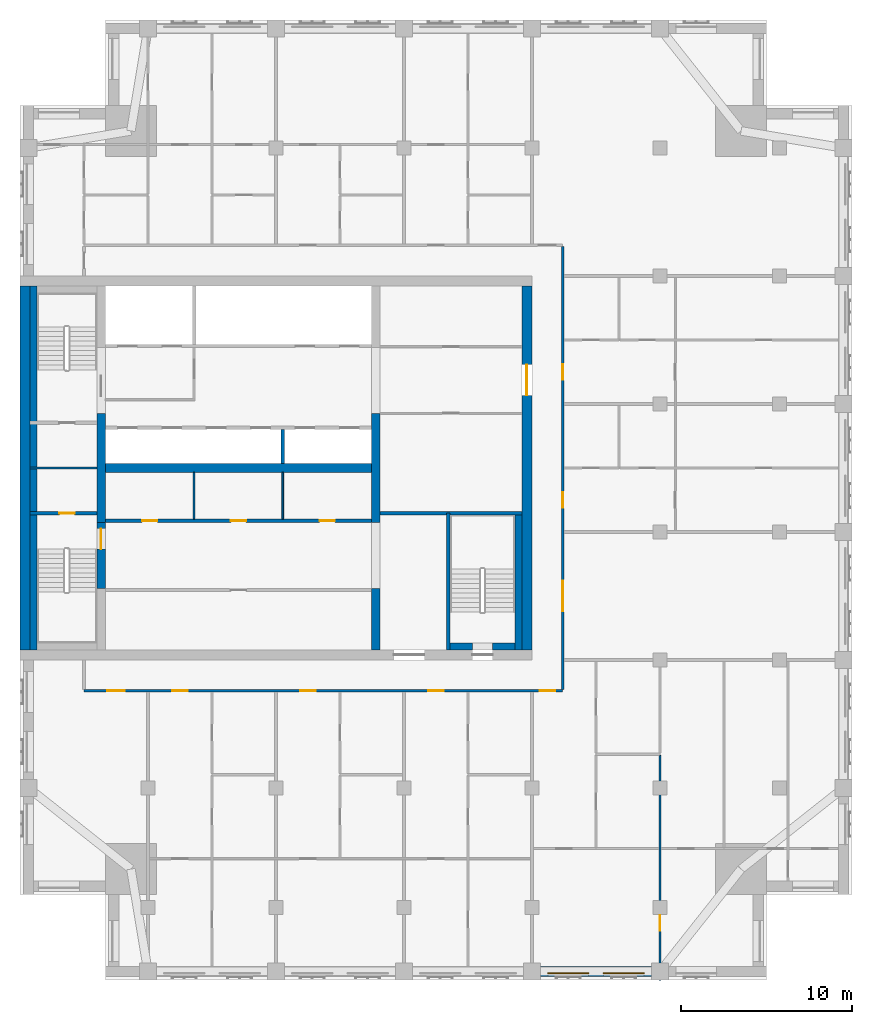
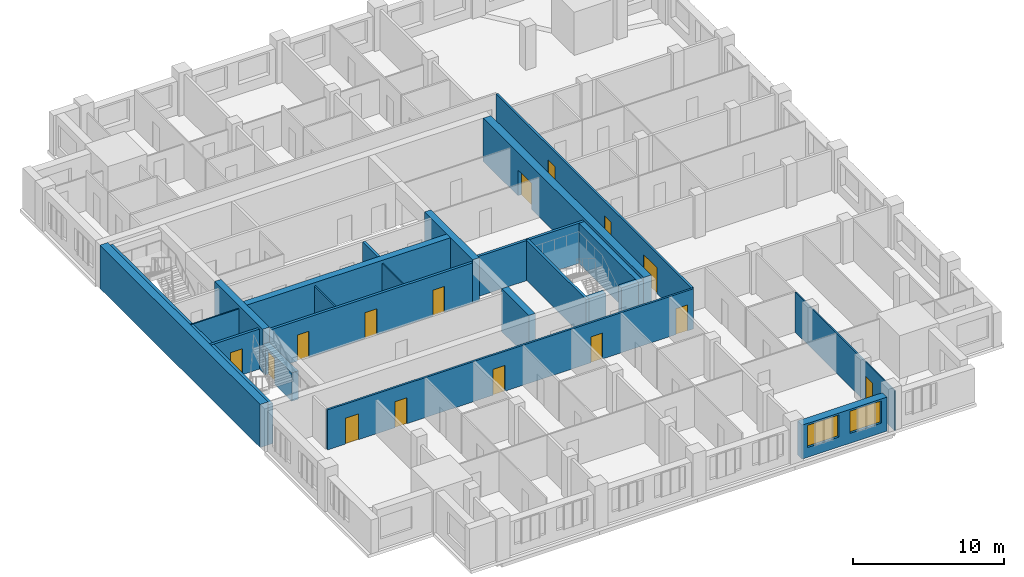
# One storey, part 4 of 11: 23 walls, 15 doors, 2 windows, 17 openings.
"""IFC4 building model written with IfcOpenShell, lengths in metres."""

from ifc_helpers import new_model, si_unit, direction, frame, frame_2d, origin, place, context, subcontext, project, spatial, rectangle, extrude, material, layer, layer_set, type_object, element, fill, save


model = new_model("IFC4")

# Units and contexts
model_context = context("Model", 3, precision=1e-05, world=origin(), true_north=direction((0.0, 1.0)))
body_context = subcontext(model_context, "Body", "Model", "MODEL_VIEW")
ifc_project = project(units=[si_unit("LENGTHUNIT", "METRE"), si_unit("AREAUNIT", "SQUARE_METRE"), si_unit("VOLUMEUNIT", "CUBIC_METRE"), si_unit("PLANEANGLEUNIT", "RADIAN"), si_unit("MASSUNIT", "GRAM", prefix="KILO")], contexts=[model_context])

# Site, building, storey
site_placement = place(None, origin())
site = spatial("IfcSite", under=ifc_project, at=site_placement, CompositionType="ELEMENT")
building_placement = place(site_placement, origin())
building = spatial("IfcBuilding", under=site, at=building_placement, Name="Tamorin Gate", CompositionType="ELEMENT")
storey_placement = place(building_placement, frame((0.0, 0.0, 240.699951171875)))
storey = spatial("IfcBuildingStorey", under=building, at=storey_placement, Name="L60", CompositionType="ELEMENT", Elevation=240.699951171875)

# Wall, openings, windows
ifc_material_1 = material(Name="Precast concrete C40/50", Category="concrete")
ifc_layer_1 = layer(ifc_material_1, 0.60009765625)
ifc_layer_set_1 = layer_set([ifc_layer_1], Name="Precast concrete C40/50")
wall_type_1 = type_object("IfcWallType", Name="Board-marked concrete facade panel 600", PredefinedType="SOLIDWALL", material=ifc_layer_set_1)
wall_1_placement = place(storey_placement, frame((60.5, 41.75, 0.0), z_axis=(0.0, 0.0, 1.0), x_axis=(1.0, 0.0, 0.0)))
wall_1 = element("IfcWall", 1, at=wall_1_placement, inside=storey, type_object=wall_type_1, Name="Facade panel", PredefinedType="SOLIDWALL", context=body_context, shape_type="SweptSolid", body=[
    extrude(rectangle(XDim=6.5, YDim=0.60009765625, at=frame_2d((3.25, 0.0))), origin(), (0.0, 0.0, 1.0), 2.75),
])
opening_1_placement = place(wall_1_placement, frame((0.425048828125, 0.0, 0.800048828125)))
opening_1 = element("IfcOpeningElement", 2, at=opening_1_placement, cuts=wall_1, Name="Opening WN1", PredefinedType="OPENING", context=body_context, shape_type="SweptSolid", body=[
    extrude(rectangle(XDim=2.39990234375, YDim=1.800048828125, at=frame_2d((1.199951171875, 0.89990234375))), frame((0.0, 0.31005859375, 0.0), z_axis=(0.0, -1.0, 0.0), x_axis=(1.0, 0.0, 0.0)), (0.0, 0.0, 1.0), 0.6201171875),
])
opening_2_placement = place(wall_1_placement, frame((3.675048828125, 0.0, 0.800048828125)))
opening_2 = element("IfcOpeningElement", 3, at=opening_2_placement, cuts=wall_1, Name="Opening WN1", PredefinedType="OPENING", context=body_context, shape_type="SweptSolid", body=[
    extrude(rectangle(XDim=2.39990234375, YDim=1.800048828125, at=frame_2d((1.199951171875, 0.89990234375))), frame((0.0, 0.31005859375, 0.0), z_axis=(0.0, -1.0, 0.0), x_axis=(1.0, 0.0, 0.0)), (0.0, 0.0, 1.0), 0.6201171875),
])
ifc_material_2 = material(Name="Clear glass in aluminium frame", Category="aluminium")
window_type = type_object("IfcWindowType", Name="Deep-set window 2400x1800", PartitioningType="SINGLE_PANEL", PredefinedType="WINDOW", material=ifc_material_2)
window_1_placement = place(opening_1_placement, origin())
window_1 = element("IfcWindow", 4, at=window_1_placement, inside=storey, type_object=window_type, Name="Deep-set window", OverallHeight=1.800048828125, OverallWidth=2.39990234375, PartitioningType="SINGLE_PANEL", PredefinedType="WINDOW", context=body_context, shape_type="SweptSolid", body=[
    extrude(rectangle(XDim=2.39990234375, YDim=1.800048828125, at=frame_2d((1.199951171875, 0.89990234375))), frame((0.0, -0.070068359375, 0.0), z_axis=(0.0, -1.0, 0.0), x_axis=(1.0, 0.0, 0.0)), (0.0, 0.0, 1.0), 0.06005859375),
])
fill(opening_1, window_1)
window_2_placement = place(opening_2_placement, origin())
window_2 = element("IfcWindow", 5, at=window_2_placement, inside=storey, type_object=window_type, Name="Deep-set window", OverallHeight=1.800048828125, OverallWidth=2.39990234375, PartitioningType="SINGLE_PANEL", PredefinedType="WINDOW", context=body_context, shape_type="SweptSolid", body=[
    extrude(rectangle(XDim=2.39990234375, YDim=1.800048828125, at=frame_2d((1.199951171875, 0.89990234375))), frame((0.0, -0.070068359375, 0.0), z_axis=(0.0, -1.0, 0.0), x_axis=(1.0, 0.0, 0.0)), (0.0, 0.0, 1.0), 0.06005859375),
])
fill(opening_2, window_2)

# Wall, openings, doors
ifc_material_3 = material(Name="Gypsum board partition")
ifc_layer_2 = layer(ifc_material_3, 0.14990234375)
ifc_layer_set_2 = layer_set([ifc_layer_2], Name="Corridor wall 150")
wall_type_2 = type_object("IfcWallType", Name="Corridor wall 150", PredefinedType="PARTITIONING", material=ifc_layer_set_2)
wall_2_placement = place(storey_placement, frame((33.75, 58.199951171875, 0.0), z_axis=(0.0, 0.0, 1.0), x_axis=(1.0, 0.0, 0.0)))
wall_2 = element("IfcWall", 6, at=wall_2_placement, inside=storey, type_object=wall_type_2, Name="Corridor wall 150", PredefinedType="PARTITIONING", context=body_context, shape_type="SweptSolid", body=[
    extrude(rectangle(XDim=28.050048828125, YDim=0.14990234375, at=frame_2d((14.02490234375, 0.0))), origin(), (0.0, 0.0, 1.0), 3.25),
])
opening_3_placement = place(wall_2_placement, frame((1.375, 0.0, 0.0)))
opening_3 = element("IfcOpeningElement", 7, at=opening_3_placement, cuts=wall_2, Name="Opening DR6001", PredefinedType="OPENING", context=body_context, shape_type="SweptSolid", body=[
    extrude(rectangle(XDim=1.0, YDim=2.10009765625, at=frame_2d((0.5, 1.050048828125))), frame((0.0, 0.0849609375, 0.0), z_axis=(0.0, -1.0, 0.0), x_axis=(1.0, 0.0, 0.0)), (0.0, 0.0, 1.0), 0.169921875),
])
opening_4_placement = place(wall_2_placement, frame((5.175048828125, 0.0, 0.0)))
opening_4 = element("IfcOpeningElement", 8, at=opening_4_placement, cuts=wall_2, Name="Opening DR6002", PredefinedType="OPENING", context=body_context, shape_type="SweptSolid", body=[
    extrude(rectangle(XDim=0.89990234375, YDim=2.10009765625, at=frame_2d((0.449951171875, 1.050048828125))), frame((0.0, 0.0849609375, 0.0), z_axis=(0.0, -1.0, 0.0), x_axis=(1.0, 0.0, 0.0)), (0.0, 0.0, 1.0), 0.169921875),
])
opening_5_placement = place(wall_2_placement, frame((12.675048828125, 0.0, 0.0)))
opening_5 = element("IfcOpeningElement", 9, at=opening_5_placement, cuts=wall_2, Name="Opening DR6007", PredefinedType="OPENING", context=body_context, shape_type="SweptSolid", body=[
    extrude(rectangle(XDim=0.89990234375, YDim=2.10009765625, at=frame_2d((0.449951171875, 1.050048828125))), frame((0.0, 0.0849609375, 0.0), z_axis=(0.0, -1.0, 0.0), x_axis=(1.0, 0.0, 0.0)), (0.0, 0.0, 1.0), 0.169921875),
])
opening_6_placement = place(wall_2_placement, frame((20.175048828125, 0.0, 0.0)))
opening_6 = element("IfcOpeningElement", 10, at=opening_6_placement, cuts=wall_2, Name="Opening DR6011", PredefinedType="OPENING", context=body_context, shape_type="SweptSolid", body=[
    extrude(rectangle(XDim=0.89990234375, YDim=2.10009765625, at=frame_2d((0.449951171875, 1.050048828125))), frame((0.0, 0.0849609375, 0.0), z_axis=(0.0, -1.0, 0.0), x_axis=(1.0, 0.0, 0.0)), (0.0, 0.0, 1.0), 0.169921875),
])
opening_7_placement = place(wall_2_placement, frame((26.699951171875, 0.0, 0.0)))
opening_7 = element("IfcOpeningElement", 11, at=opening_7_placement, cuts=wall_2, Name="Opening DR6016", PredefinedType="OPENING", context=body_context, shape_type="SweptSolid", body=[
    extrude(rectangle(XDim=0.89990234375, YDim=2.10009765625, at=frame_2d((0.449951171875, 1.050048828125))), frame((0.0, 0.0849609375, 0.0), z_axis=(0.0, -1.0, 0.0), x_axis=(1.0, 0.0, 0.0)), (0.0, 0.0, 1.0), 0.169921875),
])
ifc_material_4 = material(Name="Timber door leaf", Category="wood")
door_type_1 = type_object("IfcDoorType", Name="Door 1000 x 2100 FD30S", OperationType="NOTDEFINED", PredefinedType="DOOR", material=ifc_material_4)
door_1_placement = place(opening_3_placement, origin())
door_1 = element("IfcDoor", 12, at=door_1_placement, inside=storey, type_object=door_type_1, Name="Door DR6001", OperationType="SINGLE_SWING_RIGHT", OverallHeight=2.10009765625, OverallWidth=1.0, PredefinedType="DOOR", context=body_context, shape_type="SweptSolid", body=[
    extrude(rectangle(XDim=1.0, YDim=2.10009765625, at=frame_2d((0.5, 1.050048828125))), frame((0.0, 0.02490234375, 0.0), z_axis=(0.0, -1.0, 0.0), x_axis=(1.0, 0.0, 0.0)), (0.0, 0.0, 1.0), 0.050048828125),
])
fill(opening_3, door_1)
door_type_2 = type_object("IfcDoorType", Name="Door 900 x 2100 FD30S", OperationType="NOTDEFINED", PredefinedType="DOOR", material=ifc_material_4)
door_2_placement = place(opening_4_placement, origin())
door_2 = element("IfcDoor", 13, at=door_2_placement, inside=storey, type_object=door_type_2, Name="Door DR6002", OperationType="SINGLE_SWING_RIGHT", OverallHeight=2.10009765625, OverallWidth=0.89990234375, PredefinedType="DOOR", context=body_context, shape_type="SweptSolid", body=[
    extrude(rectangle(XDim=0.89990234375, YDim=2.10009765625, at=frame_2d((0.449951171875, 1.050048828125))), frame((0.0, 0.02490234375, 0.0), z_axis=(0.0, -1.0, 0.0), x_axis=(1.0, 0.0, 0.0)), (0.0, 0.0, 1.0), 0.050048828125),
])
fill(opening_4, door_2)
door_3_placement = place(opening_5_placement, origin())
door_3 = element("IfcDoor", 14, at=door_3_placement, inside=storey, type_object=door_type_2, Name="Door DR6007", OperationType="SINGLE_SWING_RIGHT", OverallHeight=2.10009765625, OverallWidth=0.89990234375, PredefinedType="DOOR", context=body_context, shape_type="SweptSolid", body=[
    extrude(rectangle(XDim=0.89990234375, YDim=2.10009765625, at=frame_2d((0.449951171875, 1.050048828125))), frame((0.0, 0.02490234375, 0.0), z_axis=(0.0, -1.0, 0.0), x_axis=(1.0, 0.0, 0.0)), (0.0, 0.0, 1.0), 0.050048828125),
])
fill(opening_5, door_3)
door_4_placement = place(opening_6_placement, origin())
door_4 = element("IfcDoor", 15, at=door_4_placement, inside=storey, type_object=door_type_2, Name="Door DR6011", OperationType="SINGLE_SWING_RIGHT", OverallHeight=2.10009765625, OverallWidth=0.89990234375, PredefinedType="DOOR", context=body_context, shape_type="SweptSolid", body=[
    extrude(rectangle(XDim=0.89990234375, YDim=2.10009765625, at=frame_2d((0.449951171875, 1.050048828125))), frame((0.0, 0.02490234375, 0.0), z_axis=(0.0, -1.0, 0.0), x_axis=(1.0, 0.0, 0.0)), (0.0, 0.0, 1.0), 0.050048828125),
])
fill(opening_6, door_4)
door_5_placement = place(opening_7_placement, origin())
door_5 = element("IfcDoor", 16, at=door_5_placement, inside=storey, type_object=door_type_2, Name="Door DR6016", OperationType="SINGLE_SWING_RIGHT", OverallHeight=2.10009765625, OverallWidth=0.89990234375, PredefinedType="DOOR", context=body_context, shape_type="SweptSolid", body=[
    extrude(rectangle(XDim=0.89990234375, YDim=2.10009765625, at=frame_2d((0.449951171875, 1.050048828125))), frame((0.0, 0.02490234375, 0.0), z_axis=(0.0, -1.0, 0.0), x_axis=(1.0, 0.0, 0.0)), (0.0, 0.0, 1.0), 0.050048828125),
])
fill(opening_7, door_5)

wall_3_placement = place(storey_placement, frame((61.800048828125, 58.27490234375, 0.0), z_axis=(0.0, 0.0, 1.0), x_axis=(0.0, 1.0, 0.0)))
wall_3 = element("IfcWall", 17, at=wall_3_placement, inside=storey, type_object=wall_type_2, Name="Corridor wall 150", PredefinedType="PARTITIONING", context=body_context, shape_type="SweptSolid", body=[
    extrude(rectangle(XDim=25.9501953125, YDim=0.14990234375, at=frame_2d((12.97509765625, 0.0))), origin(), (0.0, 0.0, 1.0), 3.25),
])
opening_8_placement = place(wall_3_placement, frame((4.574951171875, 0.0, 0.0)))
opening_8 = element("IfcOpeningElement", 18, at=opening_8_placement, cuts=wall_3, Name="Opening DR6044", PredefinedType="OPENING", context=body_context, shape_type="SweptSolid", body=[
    extrude(rectangle(XDim=1.800048828125, YDim=2.10009765625, at=frame_2d((0.89990234375, 1.050048828125))), frame((0.0, 0.0849609375, 0.0), z_axis=(0.0, -1.0, 0.0), x_axis=(1.0, 0.0, 0.0)), (0.0, 0.0, 1.0), 0.169921875),
])
opening_9_placement = place(wall_3_placement, frame((10.64990234375, 0.0, 0.0)))
opening_9 = element("IfcOpeningElement", 19, at=opening_9_placement, cuts=wall_3, Name="Opening DR6045", PredefinedType="OPENING", context=body_context, shape_type="SweptSolid", body=[
    extrude(rectangle(XDim=0.89990234375, YDim=2.10009765625, at=frame_2d((0.449951171875, 1.050048828125))), frame((0.0, 0.0849609375, 0.0), z_axis=(0.0, -1.0, 0.0), x_axis=(1.0, 0.0, 0.0)), (0.0, 0.0, 1.0), 0.169921875),
])
opening_10_placement = place(wall_3_placement, frame((18.14990234375, 0.0, 0.0)))
opening_10 = element("IfcOpeningElement", 20, at=opening_10_placement, cuts=wall_3, Name="Opening DR6050", PredefinedType="OPENING", context=body_context, shape_type="SweptSolid", body=[
    extrude(rectangle(XDim=0.89990234375, YDim=2.10009765625, at=frame_2d((0.449951171875, 1.050048828125))), frame((0.0, 0.0849609375, 0.0), z_axis=(0.0, -1.0, 0.0), x_axis=(1.0, 0.0, 0.0)), (0.0, 0.0, 1.0), 0.169921875),
])
door_type_3 = type_object("IfcDoorType", Name="Door 1800 x 2100 FD30S", OperationType="DOUBLE_DOOR_SINGLE_SWING", PredefinedType="DOOR", material=ifc_material_4)
door_6_placement = place(opening_8_placement, origin())
door_6 = element("IfcDoor", 21, at=door_6_placement, inside=storey, type_object=door_type_3, Name="Door DR6044", OperationType="DOUBLE_DOOR_SINGLE_SWING", OverallHeight=2.10009765625, OverallWidth=1.800048828125, PredefinedType="DOOR", context=body_context, shape_type="SweptSolid", body=[
    extrude(rectangle(XDim=1.800048828125, YDim=2.10009765625, at=frame_2d((0.89990234375, 1.050048828125))), frame((0.0, 0.02490234375, 0.0), z_axis=(0.0, -1.0, 0.0), x_axis=(1.0, 0.0, 0.0)), (0.0, 0.0, 1.0), 0.050048828125),
])
fill(opening_8, door_6)
door_7_placement = place(opening_9_placement, origin())
door_7 = element("IfcDoor", 22, at=door_7_placement, inside=storey, type_object=door_type_2, Name="Door DR6045", OperationType="SINGLE_SWING_RIGHT", OverallHeight=2.10009765625, OverallWidth=0.89990234375, PredefinedType="DOOR", context=body_context, shape_type="SweptSolid", body=[
    extrude(rectangle(XDim=0.89990234375, YDim=2.10009765625, at=frame_2d((0.449951171875, 1.050048828125))), frame((0.0, 0.02490234375, 0.0), z_axis=(0.0, -1.0, 0.0), x_axis=(1.0, 0.0, 0.0)), (0.0, 0.0, 1.0), 0.050048828125),
])
fill(opening_9, door_7)
door_8_placement = place(opening_10_placement, origin())
door_8 = element("IfcDoor", 23, at=door_8_placement, inside=storey, type_object=door_type_2, Name="Door DR6050", OperationType="SINGLE_SWING_RIGHT", OverallHeight=2.10009765625, OverallWidth=0.89990234375, PredefinedType="DOOR", context=body_context, shape_type="SweptSolid", body=[
    extrude(rectangle(XDim=0.89990234375, YDim=2.10009765625, at=frame_2d((0.449951171875, 1.050048828125))), frame((0.0, 0.02490234375, 0.0), z_axis=(0.0, -1.0, 0.0), x_axis=(1.0, 0.0, 0.0)), (0.0, 0.0, 1.0), 0.050048828125),
])
fill(opening_10, door_8)

# Walls
ifc_material_5 = material(Name="Concrete C32/40", Category="concrete")
ifc_layer_3 = layer(ifc_material_5, 0.199951171875)
ifc_layer_set_3 = layer_set([ifc_layer_3], Name="Lift shaft wall 200 EI 120")
wall_type_3 = type_object("IfcWallType", Name="Lift shaft wall 200 EI 120", PredefinedType="SOLIDWALL", material=ifc_layer_set_3)
wall_4_placement = place(storey_placement, frame((45.39990234375, 71.5, 0.0), z_axis=(0.0, 0.0, 1.0), x_axis=(0.0, 1.0, 0.0)))
element("IfcWall", 24, at=wall_4_placement, inside=storey, type_object=wall_type_3, Name="Lift shaft wall", PredefinedType="SOLIDWALL", context=body_context, shape_type="SweptSolid", body=[
    extrude(rectangle(XDim=2.0, YDim=0.199951171875, at=frame_2d((1.0, 0.0))), origin(), (0.0, 0.0, 1.0), 3.5),
])
ifc_material_6 = material(Name="Concrete C50/60", Category="concrete")
ifc_layer_4 = layer(ifc_material_6, 0.5)
ifc_layer_set_4 = layer_set([ifc_layer_4], Name="RC core internal wall 500 C50/60")
wall_type_4 = type_object("IfcWallType", Name="RC core internal wall 500 C50/60", PredefinedType="SHEAR", material=ifc_layer_set_4)
wall_5_placement = place(storey_placement, frame((35.0, 71.25, 0.0), z_axis=(0.0, 0.0, 1.0), x_axis=(1.0, 0.0, 0.0)))
element("IfcWall", 25, at=wall_5_placement, inside=storey, type_object=wall_type_4, Name="Core spine wall L60", PredefinedType="SHEAR", context=body_context, shape_type="SweptSolid", body=[
    extrude(rectangle(XDim=15.60009765625, YDim=0.5, at=frame_2d((7.800048828125, 0.0))), origin(), (0.0, 0.0, 1.0), 3.5),
])
wall_6_placement = place(storey_placement, frame((34.75, 68.050048828125, 0.0), z_axis=(0.0, 0.0, 1.0), x_axis=(0.0, 1.0, 0.0)))
element("IfcWall", 26, at=wall_6_placement, inside=storey, type_object=wall_type_4, Name="Core cross wall L60", PredefinedType="SHEAR", context=body_context, shape_type="SweptSolid", body=[
    extrude(rectangle(XDim=6.39990234375, YDim=0.5, at=frame_2d((3.199951171875, 0.0))), origin(), (0.0, 0.0, 1.0), 3.5),
])
wall_7_placement = place(storey_placement, frame((50.85009765625, 60.60009765625, 0.0), z_axis=(0.0, 0.0, 1.0), x_axis=(0.0, 1.0, 0.0)))
element("IfcWall", 27, at=wall_7_placement, inside=storey, type_object=wall_type_4, Name="Core cross wall L60", PredefinedType="SHEAR", context=body_context, shape_type="SweptSolid", body=[
    extrude(rectangle(XDim=3.599853515625, YDim=0.5, at=frame_2d((1.7998046875, 0.0))), origin(), (0.0, 0.0, 1.0), 3.5),
])
wall_8_placement = place(storey_placement, frame((50.85009765625, 68.050048828125, 0.0), z_axis=(0.0, 0.0, 1.0), x_axis=(0.0, 1.0, 0.0)))
element("IfcWall", 28, at=wall_8_placement, inside=storey, type_object=wall_type_4, Name="Core cross wall L60", PredefinedType="SHEAR", context=body_context, shape_type="SweptSolid", body=[
    extrude(rectangle(XDim=6.39990234375, YDim=0.5, at=frame_2d((3.199951171875, 0.0))), origin(), (0.0, 0.0, 1.0), 3.5),
])
ifc_layer_5 = layer(ifc_material_6, 0.60009765625)
ifc_layer_set_5 = layer_set([ifc_layer_5], Name="RC core wall 600 C50/60")
wall_type_5 = type_object("IfcWallType", Name="RC core wall 600 C50/60", PredefinedType="SHEAR", material=ifc_layer_set_5)
wall_9_placement = place(storey_placement, frame((30.300048828125, 60.60009765625, 0.0), z_axis=(0.0, 0.0, 1.0), x_axis=(0.0, 1.0, 0.0)))
element("IfcWall", 29, at=wall_9_placement, inside=storey, type_object=wall_type_5, Name="Core wall L60", PredefinedType="SHEAR", context=body_context, shape_type="SweptSolid", body=[
    extrude(rectangle(XDim=21.2998046875, YDim=0.60009765625, at=frame_2d((10.64990234375, 0.0))), origin(), (0.0, 0.0, 1.0), 3.5),
])

# Wall, opening, door
wall_10_placement = place(storey_placement, frame((59.699951171875, 60.60009765625, 0.0), z_axis=(0.0, 0.0, 1.0), x_axis=(0.0, 1.0, 0.0)))
wall_10 = element("IfcWall", 30, at=wall_10_placement, inside=storey, type_object=wall_type_5, Name="Core wall L60", PredefinedType="SHEAR", context=body_context, shape_type="SweptSolid", body=[
    extrude(rectangle(XDim=21.2998046875, YDim=0.60009765625, at=frame_2d((10.64990234375, 0.0))), origin(), (0.0, 0.0, 1.0), 3.5),
])
opening_11_placement = place(wall_10_placement, frame((14.89990234375, 0.0, 0.0)))
opening_11 = element("IfcOpeningElement", 31, at=opening_11_placement, cuts=wall_10, Name="Opening DE1", PredefinedType="OPENING", context=body_context, shape_type="SweptSolid", body=[
    extrude(rectangle(XDim=1.800048828125, YDim=2.10009765625, at=frame_2d((0.89990234375, 1.050048828125))), frame((0.0, 0.31005859375, 0.0), z_axis=(0.0, -1.0, 0.0), x_axis=(1.0, 0.0, 0.0)), (0.0, 0.0, 1.0), 0.6201171875),
])
ifc_material_7 = material(Name="Steel fire door", Category="steel")
door_type_4 = type_object("IfcDoorType", Name="Lobby exit double door 1800 x 2100 EI 60", OperationType="DOUBLE_DOOR_SINGLE_SWING", PredefinedType="DOOR", material=ifc_material_7)
door_9_placement = place(opening_11_placement, origin())
door_9 = element("IfcDoor", 32, at=door_9_placement, inside=storey, type_object=door_type_4, Name="Lift lobby B exit door", OperationType="DOUBLE_DOOR_SINGLE_SWING", OverallHeight=2.10009765625, OverallWidth=1.800048828125, PredefinedType="DOOR", context=body_context, shape_type="SweptSolid", body=[
    extrude(rectangle(XDim=1.800048828125, YDim=2.10009765625, at=frame_2d((0.89990234375, 1.050048828125))), frame((0.0, 0.02490234375, 0.0), z_axis=(0.0, -1.0, 0.0), x_axis=(1.0, 0.0, 0.0)), (0.0, 0.0, 1.0), 0.050048828125),
])
fill(opening_11, door_9)

# Wall
ifc_material_8 = material(Name="Fire-rated gypsum board partition")
ifc_layer_6 = layer(ifc_material_8, 0.10009765625)
ifc_layer_set_6 = layer_set([ifc_layer_6], Name="Riser partition 100 EI 120")
wall_type_6 = type_object("IfcWallType", Name="Riser partition 100 EI 120", PredefinedType="PARTITIONING", material=ifc_layer_set_6)
wall_11_placement = place(storey_placement, frame((30.60009765625, 71.25, 0.0), z_axis=(0.0, 0.0, 1.0), x_axis=(1.0, 0.0, 0.0)))
element("IfcWall", 33, at=wall_11_placement, inside=storey, type_object=wall_type_6, Name="Riser partition", PredefinedType="PARTITIONING", context=body_context, shape_type="SweptSolid", body=[
    extrude(rectangle(XDim=3.89990234375, YDim=0.10009765625, at=frame_2d((1.949951171875, 0.0))), origin(), (0.0, 0.0, 1.0), 3.25),
])

# Wall, opening, door
ifc_layer_7 = layer(ifc_material_3, 0.10009765625)
ifc_layer_set_7 = layer_set([ifc_layer_7], Name="Room partition 100")
wall_type_7 = type_object("IfcWallType", Name="Room partition 100", PredefinedType="PARTITIONING", material=ifc_layer_set_7)
wall_12_placement = place(storey_placement, frame((67.5, 41.25, 0.0), z_axis=(0.0, 0.0, 1.0), x_axis=(0.0, 1.0, 0.0)))
wall_12 = element("IfcWall", 34, at=wall_12_placement, inside=storey, type_object=wall_type_7, Name="Room partition 100", PredefinedType="PARTITIONING", context=body_context, shape_type="SweptSolid", body=[
    extrude(rectangle(XDim=13.16259765625, YDim=0.10009765625, at=frame_2d((6.581298828125, 0.0))), origin(), (0.0, 0.0, 1.0), 3.25),
])
opening_12_placement = place(wall_12_placement, frame((2.89990234375, 0.0, 0.0)))
opening_12 = element("IfcOpeningElement", 35, at=opening_12_placement, cuts=wall_12, Name="Opening DR6023", PredefinedType="OPENING", context=body_context, shape_type="SweptSolid", body=[
    extrude(rectangle(XDim=0.89990234375, YDim=2.10009765625, at=frame_2d((0.449951171875, 1.050048828125))), frame((0.0, 0.06005859375, 0.0), z_axis=(0.0, -1.0, 0.0), x_axis=(1.0, 0.0, 0.0)), (0.0, 0.0, 1.0), 0.1201171875),
])
door_type_5 = type_object("IfcDoorType", Name="Door 900 x 2100", OperationType="NOTDEFINED", PredefinedType="DOOR", material=ifc_material_4)
door_10_placement = place(opening_12_placement, origin())
door_10 = element("IfcDoor", 36, at=door_10_placement, inside=storey, type_object=door_type_5, Name="Door DR6023", OperationType="SINGLE_SWING_LEFT", OverallHeight=2.10009765625, OverallWidth=0.89990234375, PredefinedType="DOOR", context=body_context, shape_type="SweptSolid", body=[
    extrude(rectangle(XDim=0.89990234375, YDim=2.10009765625, at=frame_2d((0.449951171875, 1.050048828125))), frame((0.0, 0.02490234375, 0.0), z_axis=(0.0, -1.0, 0.0), x_axis=(1.0, 0.0, 0.0)), (0.0, 0.0, 1.0), 0.050048828125),
])
fill(opening_12, door_10)

# Wall, openings, doors
ifc_layer_8 = layer(ifc_material_3, 0.199951171875)
ifc_layer_set_8 = layer_set([ifc_layer_8], Name="Service room face wall 200 EI 60")
wall_type_8 = type_object("IfcWallType", Name="Service room face wall 200 EI 60", PredefinedType="PARTITIONING", material=ifc_layer_set_8)
wall_13_placement = place(storey_placement, frame((35.0, 68.14990234375, 0.0), z_axis=(0.0, 0.0, 1.0), x_axis=(1.0, 0.0, 0.0)))
wall_13 = element("IfcWall", 37, at=wall_13_placement, inside=storey, type_object=wall_type_8, Name="Service room face wall", PredefinedType="PARTITIONING", context=body_context, shape_type="SweptSolid", body=[
    extrude(rectangle(XDim=15.60009765625, YDim=0.199951171875, at=frame_2d((7.800048828125, 0.0))), origin(), (0.0, 0.0, 1.0), 3.25),
])
opening_13_placement = place(wall_13_placement, frame((2.14990234375, 0.0, 0.0)))
opening_13 = element("IfcOpeningElement", 38, at=opening_13_placement, cuts=wall_13, Name="Opening DK1", PredefinedType="OPENING", context=body_context, shape_type="SweptSolid", body=[
    extrude(rectangle(XDim=0.89990234375, YDim=2.10009765625, at=frame_2d((0.449951171875, 1.050048828125))), frame((0.0, 0.10986328125, 0.0), z_axis=(0.0, -1.0, 0.0), x_axis=(1.0, 0.0, 0.0)), (0.0, 0.0, 1.0), 0.219970703125),
])
opening_14_placement = place(wall_13_placement, frame((7.35009765625, 0.0, 0.0)))
opening_14 = element("IfcOpeningElement", 39, at=opening_14_placement, cuts=wall_13, Name="Opening DK1", PredefinedType="OPENING", context=body_context, shape_type="SweptSolid", body=[
    extrude(rectangle(XDim=0.89990234375, YDim=2.10009765625, at=frame_2d((0.449951171875, 1.050048828125))), frame((0.0, 0.10986328125, 0.0), z_axis=(0.0, -1.0, 0.0), x_axis=(1.0, 0.0, 0.0)), (0.0, 0.0, 1.0), 0.219970703125),
])
opening_15_placement = place(wall_13_placement, frame((12.550048828125, 0.0, 0.0)))
opening_15 = element("IfcOpeningElement", 40, at=opening_15_placement, cuts=wall_13, Name="Opening DK1", PredefinedType="OPENING", context=body_context, shape_type="SweptSolid", body=[
    extrude(rectangle(XDim=0.89990234375, YDim=2.10009765625, at=frame_2d((0.449951171875, 1.050048828125))), frame((0.0, 0.10986328125, 0.0), z_axis=(0.0, -1.0, 0.0), x_axis=(1.0, 0.0, 0.0)), (0.0, 0.0, 1.0), 0.219970703125),
])
ifc_material_9 = material(Name="Timber fire door", Category="wood")
door_type_6 = type_object("IfcDoorType", Name="Service room door 900 x 2100 EI 60", OperationType="SINGLE_SWING_LEFT", PredefinedType="DOOR", material=ifc_material_9)
door_11_placement = place(opening_13_placement, origin())
door_11 = element("IfcDoor", 41, at=door_11_placement, inside=storey, type_object=door_type_6, Name="Door Cleaner's store", OperationType="SINGLE_SWING_RIGHT", OverallHeight=2.10009765625, OverallWidth=0.89990234375, PredefinedType="DOOR", context=body_context, shape_type="SweptSolid", body=[
    extrude(rectangle(XDim=0.89990234375, YDim=2.10009765625, at=frame_2d((0.449951171875, 1.050048828125))), frame((0.0, 0.02490234375, 0.0), z_axis=(0.0, -1.0, 0.0), x_axis=(1.0, 0.0, 0.0)), (0.0, 0.0, 1.0), 0.050048828125),
])
fill(opening_13, door_11)
door_12_placement = place(opening_14_placement, origin())
door_12 = element("IfcDoor", 42, at=door_12_placement, inside=storey, type_object=door_type_6, Name="Door Luggage store", OperationType="SINGLE_SWING_LEFT", OverallHeight=2.10009765625, OverallWidth=0.89990234375, PredefinedType="DOOR", context=body_context, shape_type="SweptSolid", body=[
    extrude(rectangle(XDim=0.89990234375, YDim=2.10009765625, at=frame_2d((0.449951171875, 1.050048828125))), frame((0.0, 0.02490234375, 0.0), z_axis=(0.0, -1.0, 0.0), x_axis=(1.0, 0.0, 0.0)), (0.0, 0.0, 1.0), 0.050048828125),
])
fill(opening_14, door_12)
door_13_placement = place(opening_15_placement, origin())
door_13 = element("IfcDoor", 43, at=door_13_placement, inside=storey, type_object=door_type_6, Name="Door IT room", OperationType="SINGLE_SWING_RIGHT", OverallHeight=2.10009765625, OverallWidth=0.89990234375, PredefinedType="DOOR", context=body_context, shape_type="SweptSolid", body=[
    extrude(rectangle(XDim=0.89990234375, YDim=2.10009765625, at=frame_2d((0.449951171875, 1.050048828125))), frame((0.0, 0.02490234375, 0.0), z_axis=(0.0, -1.0, 0.0), x_axis=(1.0, 0.0, 0.0)), (0.0, 0.0, 1.0), 0.050048828125),
])
fill(opening_15, door_13)

# Walls
ifc_layer_9 = layer(ifc_material_3, 0.10009765625)
ifc_layer_set_9 = layer_set([ifc_layer_9], Name="Service room partition 100 EI 60")
wall_type_9 = type_object("IfcWallType", Name="Service room partition 100 EI 60", PredefinedType="PARTITIONING", material=ifc_layer_set_9)
for number, where, z_axis, x_axis, name in (
    (44, (40.199951171875, 68.25, 0.0), (0.0, 0.0, 1.0), (0.0, 1.0, 0.0), "Service room partition"),
    (45, (45.39990234375, 68.25, 0.0), (0.0, 0.0, 1.0), (0.0, 1.0, 0.0), "Service room partition"),
):
    element("IfcWall", number, at=place(storey_placement, frame(where, z_axis=z_axis, x_axis=x_axis)), inside=storey, type_object=wall_type_9, Name=name, PredefinedType="PARTITIONING", context=body_context, shape_type="SweptSolid", body=[
        extrude(rectangle(XDim=2.75, YDim=0.10009765625, at=frame_2d((1.375, 0.0))), origin(), (0.0, 0.0, 1.0), 3.25),
    ])

# Wall, opening, door
ifc_material_10 = material(Name="Concrete C40/50", Category="concrete")
ifc_layer_10 = layer(ifc_material_10, 0.199951171875)
ifc_layer_set_10 = layer_set([ifc_layer_10], Name="Stair enclosure wall 200 EI 120 C40/50")
wall_type_10 = type_object("IfcWallType", Name="Stair enclosure wall 200 EI 120 C40/50", PredefinedType="SOLIDWALL", material=ifc_layer_set_10)
wall_14_placement = place(storey_placement, frame((30.60009765625, 68.60009765625, 0.0), z_axis=(0.0, 0.0, 1.0), x_axis=(1.0, 0.0, 0.0)))
wall_14 = element("IfcWall", 46, at=wall_14_placement, inside=storey, type_object=wall_type_10, Name="Stair enclosure wall", PredefinedType="SOLIDWALL", context=body_context, shape_type="SweptSolid", body=[
    extrude(rectangle(XDim=3.89990234375, YDim=0.199951171875, at=frame_2d((1.949951171875, 0.0))), origin(), (0.0, 0.0, 1.0), 3.25),
])
opening_16_placement = place(wall_14_placement, frame((1.699951171875, 0.0, 0.0)))
opening_16 = element("IfcOpeningElement", 47, at=opening_16_placement, cuts=wall_14, Name="Opening DR1", PredefinedType="OPENING", context=body_context, shape_type="SweptSolid", body=[
    extrude(rectangle(XDim=0.89990234375, YDim=2.10009765625, at=frame_2d((0.449951171875, 1.050048828125))), frame((0.0, 0.10986328125, 0.0), z_axis=(0.0, -1.0, 0.0), x_axis=(1.0, 0.0, 0.0)), (0.0, 0.0, 1.0), 0.219970703125),
])
door_type_7 = type_object("IfcDoorType", Name="Riser access door 900 x 2100 EI 120", OperationType="SINGLE_SWING_LEFT", PredefinedType="DOOR", material=ifc_material_7)
door_14_placement = place(opening_16_placement, origin())
door_14 = element("IfcDoor", 48, at=door_14_placement, inside=storey, type_object=door_type_7, Name="Electrical riser door", OperationType="SINGLE_SWING_LEFT", OverallHeight=2.10009765625, OverallWidth=0.89990234375, PredefinedType="DOOR", context=body_context, shape_type="SweptSolid", body=[
    extrude(rectangle(XDim=0.89990234375, YDim=2.10009765625, at=frame_2d((0.449951171875, 1.050048828125))), frame((0.0, 0.02490234375, 0.0), z_axis=(0.0, -1.0, 0.0), x_axis=(1.0, 0.0, 0.0)), (0.0, 0.0, 1.0), 0.050048828125),
])
fill(opening_16, door_14)

# Walls
wall_15_placement = place(storey_placement, frame((55.10009765625, 60.60009765625, 0.0), z_axis=(0.0, 0.0, 1.0), x_axis=(0.0, 1.0, 0.0)))
element("IfcWall", 49, at=wall_15_placement, inside=storey, type_object=wall_type_10, Name="Stair enclosure wall", PredefinedType="SOLIDWALL", context=body_context, shape_type="SweptSolid", body=[
    extrude(rectangle(XDim=8.0, YDim=0.199951171875, at=frame_2d((4.0, 0.0))), origin(), (0.0, 0.0, 1.0), 3.25),
])
wall_16_placement = place(storey_placement, frame((51.10009765625, 68.60009765625, 0.0), z_axis=(0.0, 0.0, 1.0), x_axis=(1.0, 0.0, 0.0)))
element("IfcWall", 50, at=wall_16_placement, inside=storey, type_object=wall_type_10, Name="Stair enclosure wall", PredefinedType="SOLIDWALL", context=body_context, shape_type="SweptSolid", body=[
    extrude(rectangle(XDim=8.2998046875, YDim=0.199951171875, at=frame_2d((4.14990234375, 0.0))), origin(), (0.0, 0.0, 1.0), 3.25),
])
ifc_layer_11 = layer(ifc_material_6, 0.39990234375)
ifc_layer_set_11 = layer_set([ifc_layer_11], Name="Stair lining wall 400 EI 120 C50/60")
wall_type_11 = type_object("IfcWallType", Name="Stair lining wall 400 EI 120 C50/60", PredefinedType="SOLIDWALL", material=ifc_layer_set_11)
wall_17_placement = place(storey_placement, frame((30.800048828125, 60.60009765625, 0.0), z_axis=(0.0, 0.0, 1.0), x_axis=(0.0, 1.0, 0.0)))
element("IfcWall", 51, at=wall_17_placement, inside=storey, type_object=wall_type_11, Name="Stair lining wall", PredefinedType="SOLIDWALL", context=body_context, shape_type="SweptSolid", body=[
    extrude(rectangle(XDim=21.2998046875, YDim=0.39990234375, at=frame_2d((10.64990234375, 0.0))), origin(), (0.0, 0.0, 1.0), 3.25),
])
for number, where, z_axis, x_axis, name in (
    (52, (55.199951171875, 60.800048828125, 0.0), (0.0, 0.0, 1.0), (1.0, 0.0, 0.0), "Stair lining wall"),
    (53, (57.699951171875, 60.800048828125, 0.0), (0.0, 0.0, 1.0), (1.0, 0.0, 0.0), "Stair lining wall"),
):
    element("IfcWall", number, at=place(storey_placement, frame(where, z_axis=z_axis, x_axis=x_axis)), inside=storey, type_object=wall_type_11, Name=name, PredefinedType="SOLIDWALL", context=body_context, shape_type="SweptSolid", body=[
        extrude(rectangle(XDim=1.300048828125, YDim=0.39990234375, at=frame_2d((0.64990234375, 0.0))), origin(), (0.0, 0.0, 1.0), 3.25),
    ])
wall_18_placement = place(storey_placement, frame((59.199951171875, 60.60009765625, 0.0), z_axis=(0.0, 0.0, 1.0), x_axis=(0.0, 1.0, 0.0)))
element("IfcWall", 54, at=wall_18_placement, inside=storey, type_object=wall_type_11, Name="Stair lining wall", PredefinedType="SOLIDWALL", context=body_context, shape_type="SweptSolid", body=[
    extrude(rectangle(XDim=7.89990234375, YDim=0.39990234375, at=frame_2d((3.949951171875, 0.0))), origin(), (0.0, 0.0, 1.0), 3.25),
])

# Wall, opening, door
ifc_layer_12 = layer(ifc_material_5, 0.5)
ifc_layer_set_12 = layer_set([ifc_layer_12], Name="Stair lobby infill wall 500 EI 120")
wall_type_12 = type_object("IfcWallType", Name="Stair lobby infill wall 500 EI 120", PredefinedType="SOLIDWALL", material=ifc_layer_set_12)
wall_19_placement = place(storey_placement, frame((34.75, 64.199951171875, 0.0), z_axis=(0.0, 0.0, 1.0), x_axis=(0.0, 1.0, 0.0)))
wall_19 = element("IfcWall", 55, at=wall_19_placement, inside=storey, type_object=wall_type_12, Name="Stair lobby infill wall", PredefinedType="SOLIDWALL", context=body_context, shape_type="SweptSolid", body=[
    extrude(rectangle(XDim=3.85009765625, YDim=0.5, at=frame_2d((1.925048828125, 0.0))), origin(), (0.0, 0.0, 1.0), 2.300048828125),
])
opening_17_placement = place(wall_19_placement, frame((2.300048828125, 0.0, 0.0)))
opening_17 = element("IfcOpeningElement", 56, at=opening_17_placement, cuts=wall_19, Name="Opening DS1", PredefinedType="OPENING", context=body_context, shape_type="SweptSolid", body=[
    extrude(rectangle(XDim=1.199951171875, YDim=2.10009765625, at=frame_2d((0.60009765625, 1.050048828125))), frame((0.0, 0.260009765625, 0.0), z_axis=(0.0, -1.0, 0.0), x_axis=(1.0, 0.0, 0.0)), (0.0, 0.0, 1.0), 0.52001953125),
])
door_type_8 = type_object("IfcDoorType", Name="Stair door 1200 x 2100 EI 90", OperationType="SINGLE_SWING_LEFT", PredefinedType="DOOR", material=ifc_material_7)
door_15_placement = place(opening_17_placement, origin())
door_15 = element("IfcDoor", 57, at=door_15_placement, inside=storey, type_object=door_type_8, Name="ST1 door", OperationType="SINGLE_SWING_LEFT", OverallHeight=2.10009765625, OverallWidth=1.199951171875, PredefinedType="DOOR", context=body_context, shape_type="SweptSolid", body=[
    extrude(rectangle(XDim=1.199951171875, YDim=2.10009765625, at=frame_2d((0.60009765625, 1.050048828125))), frame((0.0, 0.02490234375, 0.0), z_axis=(0.0, -1.0, 0.0), x_axis=(1.0, 0.0, 0.0)), (0.0, 0.0, 1.0), 0.050048828125),
])
fill(opening_17, door_15)

save(model, "model.ifc")
